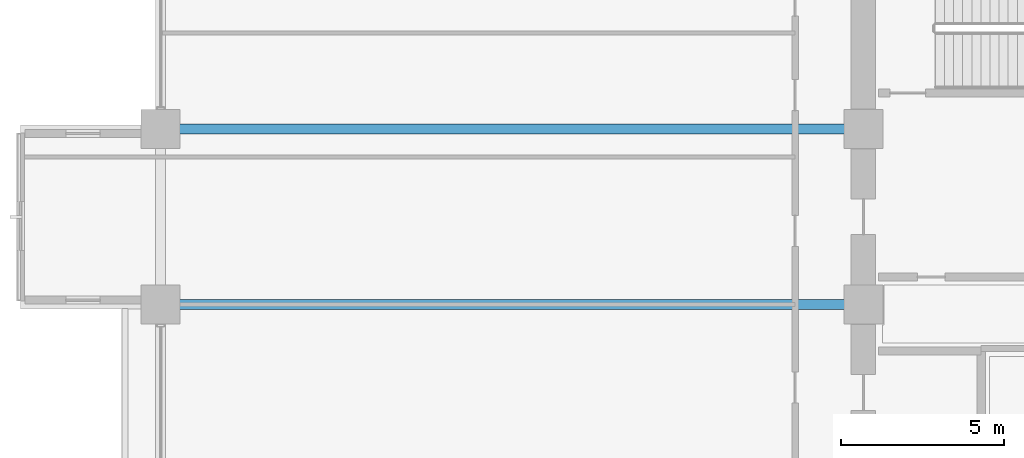
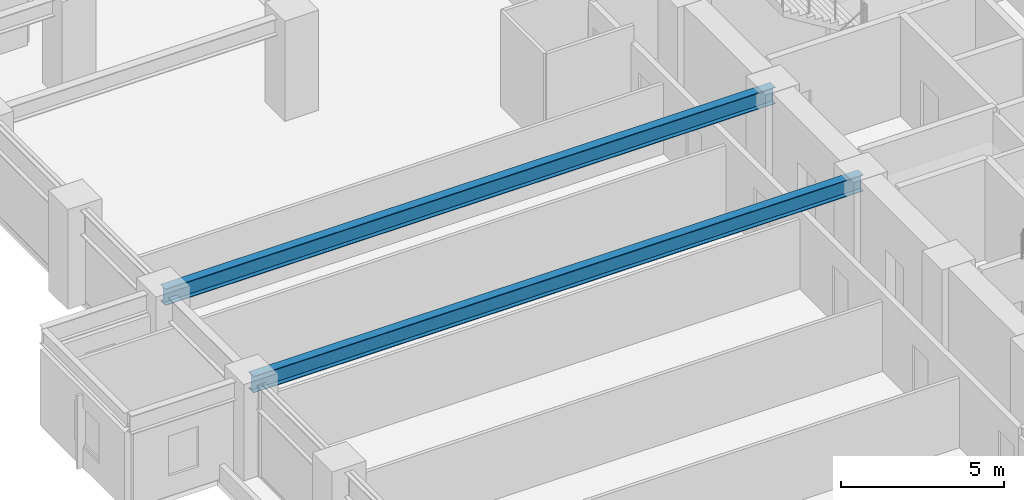
# One storey, part 6 of 28: 2 beams.
"""IFC4 building model written with IfcOpenShell, lengths in metres."""

from ifc_helpers import new_model, si_unit, direction, frame, origin, origin_2d, place, context, subcontext, project, spatial, i_section, extrude, material, material_profile, profile_set, type_object, element, save


model = new_model("IFC4")

# Units and contexts
model_context = context("Model", 3, precision=1e-05, world=origin(), true_north=direction((0.0, 1.0)))
body_context = subcontext(model_context, "Body", "Model", "MODEL_VIEW")
ifc_project = project(units=[si_unit("LENGTHUNIT", "METRE"), si_unit("AREAUNIT", "SQUARE_METRE"), si_unit("VOLUMEUNIT", "CUBIC_METRE"), si_unit("PLANEANGLEUNIT", "RADIAN"), si_unit("MASSUNIT", "GRAM", prefix="KILO")], contexts=[model_context])

# Site, building, storey
site_placement = place(None, origin())
site = spatial("IfcSite", under=ifc_project, at=site_placement, CompositionType="ELEMENT")
building_placement = place(site_placement, origin())
building = spatial("IfcBuilding", under=site, at=building_placement, Name="Surkhivell Harbour Commons", CompositionType="ELEMENT")
storey_placement = place(building_placement, frame((0.0, 0.0, 63.75)))
storey = spatial("IfcBuildingStorey", under=building, at=storey_placement, Name="L16", CompositionType="ELEMENT", Elevation=63.75)

# Beams
ifc_material = material(Name="Steel S355", Category="steel")
ifc_material_profile = material_profile(ifc_material, i_section(OverallWidth=0.306884765625, OverallDepth=0.6201171875, WebThickness=0.01416015625, FlangeThickness=0.023681640625, at=origin_2d()), Name="UB610x305x179")
ifc_profile_set = profile_set([ifc_material_profile], Name="Steel S355")
beam_type = type_object("IfcBeamType", Name="BM-GRD-610A", PredefinedType="BEAM", material=ifc_profile_set)
for number, where, z_axis, x_axis, name in (
    (1, (-32.39990234375, 0.0, 3.260009765625), (1.0, 0.0, 0.0), (0.0, 1.0, 0.0), "L16 Cantilever Back-Span Girder (-32.4,0.0)"),
    (2, (-32.39990234375, 5.39990234375, 3.260009765625), (1.0, 0.0, 0.0), (0.0, 1.0, 0.0), "L16 Cantilever Back-Span Girder (-32.4,5.4)"),
):
    element("IfcBeam", number, at=place(storey_placement, frame(where, z_axis=z_axis, x_axis=x_axis)), inside=storey, type_object=beam_type, Name=name, PredefinedType="BEAM", context=body_context, shape_type="SweptSolid", body=[
        extrude(i_section(OverallWidth=0.306884765625, OverallDepth=0.6201171875, WebThickness=0.01416015625, FlangeThickness=0.023681640625, at=origin_2d()), origin(), (0.0, 0.0, 1.0), 21.599853515625),
    ])

save(model, "model.ifc")
